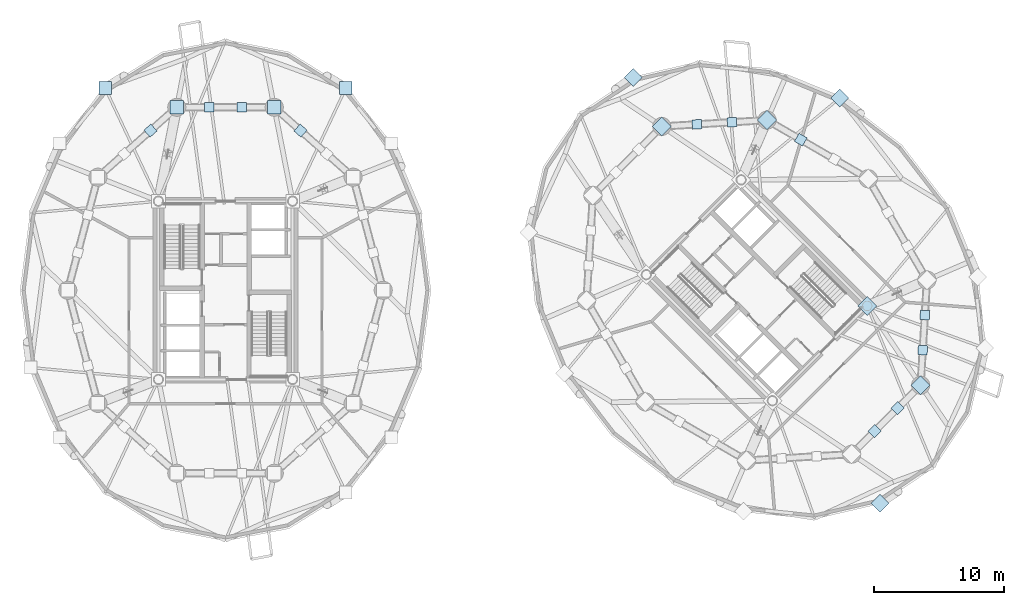
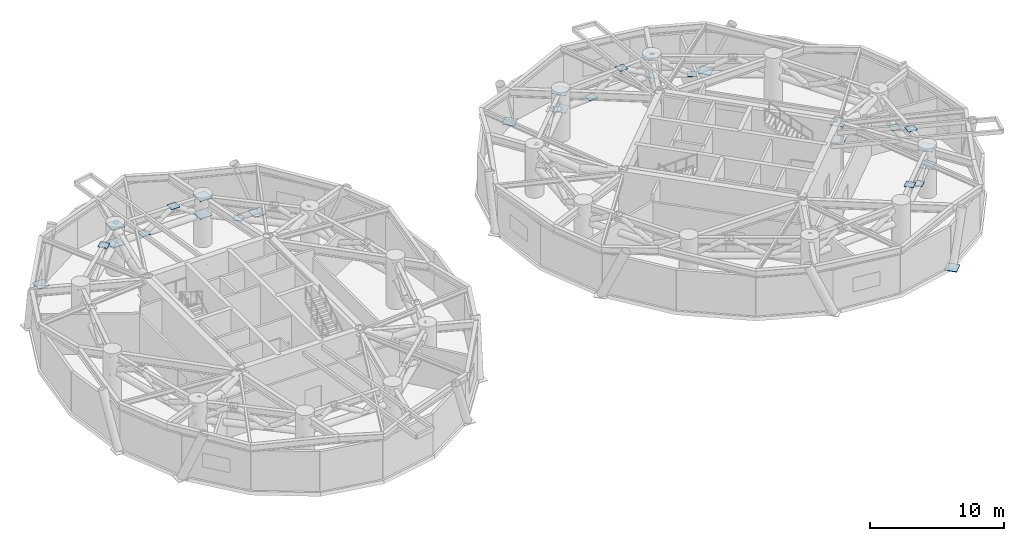
# One storey, part 8 of 16: 28 plates.
"""IFC4 building model written with IfcOpenShell, lengths in metres."""

import ifcopenshell
import ifcopenshell.guid

model = None  # the IFC model being written
_history = None  # IfcOwnerHistory: only IFC2X3 demands one
_inside = {}  # id of a spatial element -> (the spatial element, [elements in it])
_under = {}  # id of a project, library or spatial element -> (it, [spatial elements below it])
_declared = {}  # id of a project -> (the project, [libraries it declares])
_typed = {}  # id of a type object -> (the type object, [elements of that type])
_made_of = {}  # id of a material, layer set ... -> (it, [elements and type objects made of it])


def new_model(schema):
    """Start an empty IFC model of exactly this schema.

    Asked for "IFC4X3", IfcOpenShell would pick the latest addendum, in which some entities
    have other attributes; the version numbers below select the first issue.
    IFC2X3 requires an IfcOwnerHistory on every rooted entity: one is made here for all.
    """
    global model, _history
    if schema == "IFC4X3":
        model = ifcopenshell.file(schema_version=(4, 3, 0, 0))
    else:
        model = ifcopenshell.file(schema=schema)
    _inside.clear()
    _under.clear()
    _declared.clear()
    _typed.clear()
    _made_of.clear()
    _history = None
    if model.schema == "IFC2X3":
        org = make("IfcOrganization", Name="unknown")
        user = make(
            "IfcPersonAndOrganization",
            ThePerson=make("IfcPerson", FamilyName="unknown"),
            TheOrganization=org,
        )
        app = make(
            "IfcApplication",
            ApplicationDeveloper=org,
            Version="unknown",
            ApplicationFullName="unknown",
            ApplicationIdentifier="unknown",
        )
        _history = make(
            "IfcOwnerHistory",
            OwningUser=user,
            OwningApplication=app,
            ChangeAction="ADDED",
            CreationDate=0,
        )
    return model


def make(cls, **values):
    """One entity of the class cls with the attributes given. An attribute that is None is left unset."""
    return model.create_entity(
        cls, **{name: value for name, value in values.items() if value is not None}
    )


def rooted(cls, **values):
    """An entity with a GlobalId (a new one), such as an element, a storey or a relation."""
    return make(cls, GlobalId=ifcopenshell.guid.new(), OwnerHistory=_history, **values)


def si_unit(unit_type, name, prefix=None):
    """IfcSIUnit, for example si_unit("LENGTHUNIT", "METRE", prefix="MILLI")."""
    return make("IfcSIUnit", UnitType=unit_type, Prefix=prefix, Name=name)


def assignment(units):
    """IfcUnitAssignment: the units of a project."""
    return None if units is None else make("IfcUnitAssignment", Units=units)


def point(xyz):
    """IfcCartesianPoint."""
    return None if xyz is None else make("IfcCartesianPoint", Coordinates=xyz)


def direction(xyz):
    """IfcDirection."""
    return None if xyz is None else make("IfcDirection", DirectionRatios=xyz)


def frame(location, z_axis=None, x_axis=None):
    """IfcAxis2Placement3D, a coordinate frame: its origin and axes. An axis left out is left unset."""
    return make(
        "IfcAxis2Placement3D",
        Location=point(location),
        Axis=direction(z_axis),
        RefDirection=direction(x_axis),
    )


def frame_2d(location, x_axis=None):
    """IfcAxis2Placement2D, a coordinate frame in the plane: its origin and x axis."""
    return make(
        "IfcAxis2Placement2D", Location=point(location), RefDirection=direction(x_axis)
    )


def origin():
    """The frame at (0, 0, 0) with its axes left unset."""
    return frame((0.0, 0.0, 0.0))


def origin_2d():
    """The frame at (0, 0) in the plane with its x axis left unset."""
    return frame_2d((0.0, 0.0))


def place(relative_to, where):
    """IfcLocalPlacement: puts the frame where relative to a parent placement (None: the world)."""
    return make(
        "IfcLocalPlacement", PlacementRelTo=relative_to, RelativePlacement=where
    )


def context(
    kind, dimensions, precision=None, world=None, true_north=None, identifier=None
):
    """IfcGeometricRepresentationContext, for example the 3D "Model" context."""
    return make(
        "IfcGeometricRepresentationContext",
        ContextIdentifier=identifier,
        ContextType=kind,
        CoordinateSpaceDimension=dimensions,
        Precision=precision,
        WorldCoordinateSystem=world,
        TrueNorth=true_north,
    )


def subcontext(parent, identifier, kind, view, scale=None):
    """IfcGeometricRepresentationSubContext, for example "Body" below "Model"."""
    return make(
        "IfcGeometricRepresentationSubContext",
        ContextIdentifier=identifier,
        ContextType=kind,
        ParentContext=parent,
        TargetScale=scale,
        TargetView=view,
    )


def project(units=None, contexts=None):
    """IfcProject with its units and contexts."""
    return rooted(
        "IfcProject",
        Name="project",
        RepresentationContexts=contexts,
        UnitsInContext=assignment(units),
    )


def spatial(cls, under=None, at=None, **own):
    """A site, building, storey or space (cls), placed at a placement, below another one or the project."""
    s = rooted(cls, ObjectPlacement=at, **own)
    if under is not None:
        _under.setdefault(under.id(), (under, []))[1].append(s)
    return s


def profile(cls, at=None, kind="AREA", **sizes):
    """A parametric profile (cls). Its sizes go by their IFC names, for example OverallWidth=200.0."""
    return make(cls, ProfileType=kind, Position=at, **sizes)


def rectangle(**sizes):
    """IfcRectangleProfileDef."""
    return profile("IfcRectangleProfileDef", **sizes)


def extrude(swept, where, along, depth):
    """IfcExtrudedAreaSolid: the profile swept, set in the frame where, extruded along a direction by depth."""
    return make(
        "IfcExtrudedAreaSolid",
        SweptArea=swept,
        Position=where,
        ExtrudedDirection=direction(along),
        Depth=depth,
    )


def shape(context_of_items, identifier, shape_type, items):
    """IfcShapeRepresentation: the items that make up one representation, for example the "Body"."""
    return make(
        "IfcShapeRepresentation",
        ContextOfItems=context_of_items,
        RepresentationIdentifier=identifier,
        RepresentationType=shape_type,
        Items=items,
    )


def source(mapping_origin, context_of_items, identifier, shape_type, items):
    """IfcRepresentationMap: a shape defined once, which mapped items show again and again."""
    return make(
        "IfcRepresentationMap",
        MappingOrigin=mapping_origin,
        MappedRepresentation=shape(context_of_items, identifier, shape_type, items),
    )


def transform(
    local_origin,
    x_axis=None,
    y_axis=None,
    z_axis=None,
    scale=None,
    scale2=None,
    scale3=None,
    uniform=True,
):
    """IfcCartesianTransformationOperator3D, or its non-uniform kind. x_axis, y_axis, z_axis: its Axis1, 2, 3."""
    if uniform:
        return make(
            "IfcCartesianTransformationOperator3D",
            Axis1=direction(x_axis),
            Axis2=direction(y_axis),
            LocalOrigin=point(local_origin),
            Scale=scale,
            Axis3=direction(z_axis),
        )
    return make(
        "IfcCartesianTransformationOperator3DnonUniform",
        Axis1=direction(x_axis),
        Axis2=direction(y_axis),
        LocalOrigin=point(local_origin),
        Scale=scale,
        Axis3=direction(z_axis),
        Scale2=scale2,
        Scale3=scale3,
    )


def mapped(mapping_source, mapping_target):
    """IfcMappedItem: shows the shape of a source again, moved by a transform."""
    return make(
        "IfcMappedItem", MappingSource=mapping_source, MappingTarget=mapping_target
    )


def material(Name=None, Category=None):
    """IfcMaterial."""
    return make("IfcMaterial", Name=Name, Category=Category)


def layer(
    of_material, thickness, ventilated=None, Name=None, Category=None, Priority=None
):
    """IfcMaterialLayer: one layer of a wall or slab, of a material (None: an air gap)."""
    return make(
        "IfcMaterialLayer",
        Material=of_material,
        LayerThickness=thickness,
        IsVentilated=ventilated,
        Name=Name,
        Category=Category,
        Priority=Priority,
    )


def layer_set(layers, Name=None):
    """IfcMaterialLayerSet."""
    return make("IfcMaterialLayerSet", MaterialLayers=layers, LayerSetName=Name)


def made_of(thing, what):
    """Note that an element or type object is made of a material, layer set ...; save() writes the relation."""
    if what is not None:
        _made_of.setdefault(what.id(), (what, []))[1].append(thing)
    return thing


def type_object(cls, material=None, **own):
    """A type object (cls), such as IfcWallType, which elements share."""
    return made_of(rooted(cls, **own), material)


def element(
    cls,
    number,
    at=None,
    inside=None,
    cuts=None,
    type_object=None,
    material=None,
    context=None,
    identifier="Body",
    shape_type=None,
    held_by="IfcProductDefinitionShape",
    body=None,
    shapes=None,
    **own,
):
    """One element of the class cls, such as IfcWall. Its Tag is "e" and its number.

    at: its placement. inside: the storey or other place that contains it. cuts: it is an
    opening in that element (IfcRelVoidsElement). A single representation is given by context,
    identifier, shape_type and body (its items); several are given by shapes. held_by: the class
    of the entity that holds the representations. save() writes the other relations.
    """
    e = rooted(cls, Tag="e%d" % number, ObjectPlacement=at, **own)
    if body is not None:
        shapes = [shape(context, identifier, shape_type, body)]
    if shapes is not None:
        e.Representation = make(held_by, Representations=shapes)
    if inside is not None:
        _inside.setdefault(inside.id(), (inside, []))[1].append(e)
    if cuts is not None:
        rooted(
            "IfcRelVoidsElement", RelatingBuildingElement=cuts, RelatedOpeningElement=e
        )
    if type_object is not None:
        _typed.setdefault(type_object.id(), (type_object, []))[1].append(e)
    return made_of(e, material)


def aggregate(whole, parts):
    """IfcRelAggregates: a whole, such as a stair, and the parts it consists of."""
    return rooted("IfcRelAggregates", RelatingObject=whole, RelatedObjects=parts)


def save(model, path):
    """Write the relations noted so far, then the file.

    IfcRelAggregates (storeys below a building ...), IfcRelContainedInSpatialStructure (elements
    in a storey), IfcRelDefinesByType, IfcRelAssociatesMaterial and IfcRelDeclares: one each for
    every whole, place, type object, material and project.
    """
    for whole, parts in _under.values():
        aggregate(whole, parts)
    for where, things in _inside.values():
        rooted(
            "IfcRelContainedInSpatialStructure",
            RelatedElements=things,
            RelatingStructure=where,
        )
    for kind, things in _typed.values():
        rooted("IfcRelDefinesByType", RelatedObjects=things, RelatingType=kind)
    for what, things in _made_of.values():
        rooted("IfcRelAssociatesMaterial", RelatedObjects=things, RelatingMaterial=what)
    for by, libraries in _declared.values():
        rooted("IfcRelDeclares", RelatingContext=by, RelatedDefinitions=libraries)
    model.write(path)


model = new_model("IFC4")

# Units and contexts
model_context = context("Model", 3, precision=1e-05, world=origin(), true_north=direction((0.0, 1.0)))
body_context = subcontext(model_context, "Body", "Model", "MODEL_VIEW")
ifc_project = project(units=[si_unit("LENGTHUNIT", "METRE"), si_unit("AREAUNIT", "SQUARE_METRE"), si_unit("VOLUMEUNIT", "CUBIC_METRE"), si_unit("PLANEANGLEUNIT", "RADIAN"), si_unit("MASSUNIT", "GRAM", prefix="KILO")], contexts=[model_context])

# Site, building, storey
site_placement = place(None, origin())
site = spatial("IfcSite", under=ifc_project, at=site_placement, CompositionType="ELEMENT")
building_placement = place(site_placement, origin())
building = spatial("IfcBuilding", under=site, at=building_placement, Name="Cununo Teusaquillo Station Towers", CompositionType="ELEMENT")
storey_placement = place(building_placement, frame((0.0, 0.0, 65.64990234375)))
storey = spatial("IfcBuildingStorey", under=building, at=storey_placement, Name="L20", CompositionType="ELEMENT", Elevation=65.64990234375)

# Plates
ifc_material_1 = material(Name="Steel ASTM A572 Grade 50", Category="steel")
ifc_layer_1 = layer(ifc_material_1, 0.054931640625)
ifc_layer_set_1 = layer_set([ifc_layer_1], Name="Steel ASTM A572 Grade 50")
plate_type_1 = type_object("IfcPlateType", Name="PLT-NODE-KDN1", PredefinedType="USERDEFINED", material=ifc_layer_set_1)
shared_shape_1 = source(origin(), body_context, "Body", "SweptSolid", [
    extrude(rectangle(XDim=0.97998046875, YDim=0.97998046875, at=origin_2d()), origin(), (0.0, 0.0, 1.0), 0.054931640625),
])
for number, where, z_axis, x_axis, name in (
    (1, (25.78759765625, 40.10595703125, -0.16748046875), (0.0, 0.0, 1.0), (1.0, 0.0, 0.0), "L20 Tower A Diagrid Node Assembly C03"),
    (2, (7.21240234375, 40.10595703125, -0.16748046875), (0.0, 0.0, 1.0), (1.0, 0.0, 0.0), "L20 Tower A Diagrid Node Assembly C06"),
    (3, (63.9111328125, 39.341064453125, -0.16748046875), (0.0, 0.0, 1.0), (0.707106781187, 0.707106781187, 0.0), "L20 Tower B Diagrid Node Assembly C00"),
    (4, (47.980224609375, 40.92529296875, -0.16748046875), (0.0, 0.0, 1.0), (0.707106781187, 0.707106781187, 0.0), "L20 Tower B Diagrid Node Assembly C04"),
    (5, (67.019775390625, 8.07470703125, -0.16748046875), (0.0, 0.0, 1.0), (0.707106781187, 0.707106781187, 0.0), "L20 Tower B Diagrid Node Assembly C14"),
):
    element("IfcPlate", number, at=place(storey_placement, frame(where, z_axis=z_axis, x_axis=x_axis)), inside=storey, type_object=plate_type_1, Name=name, ObjectType="GUSSET PLATE", PredefinedType="USERDEFINED", context=body_context, shape_type="MappedRepresentation", body=[
        mapped(shared_shape_1, transform((0.0, 0.0, 0.0), x_axis=(1.0, 0.0, 0.0), y_axis=(0.0, 1.0, 0.0), z_axis=(0.0, 0.0, 1.0), scale=1.0)),
    ])
ifc_material_2 = material(Name="Steel ASTM A572 Grade 50", Category="steel")
ifc_layer_2 = layer(ifc_material_2, 0.054931640625)
ifc_layer_set_2 = layer_set([ifc_layer_2], Name="Steel ASTM A572 Grade 50")
plate_type_2 = type_object("IfcPlateType", Name="PLT-NODE-OTN1", PredefinedType="USERDEFINED", material=ifc_layer_set_2)
shared_shape_2 = source(origin(), body_context, "Body", "SweptSolid", [
    extrude(rectangle(XDim=1.050048828125, YDim=1.050048828125, at=origin_2d()), origin(), (0.0, 0.0, 1.0), 0.054931640625),
])
for number, where, z_axis, x_axis, name in (
    (6, (20.261474609375, 38.623291015625, 2.552734375), (0.0, 0.0, 1.0), (1.0, 0.0, 0.0), "L20 Tower A Belt Truss Column Gusset 03B"),
    (7, (20.261474609375, 38.623291015625, 4.15283203125), (0.0, 0.0, 1.0), (1.0, 0.0, 0.0), "L20 Tower A Belt Truss Column Gusset 03T"),
    (8, (12.738525390625, 38.623291015625, 2.552734375), (0.0, 0.0, 1.0), (1.0, 0.0, 0.0), "L20 Tower A Belt Truss Column Gusset 04B"),
    (9, (12.738525390625, 38.623291015625, 4.15283203125), (0.0, 0.0, 1.0), (1.0, 0.0, 0.0), "L20 Tower A Belt Truss Column Gusset 04T"),
    (10, (66.024169921875, 23.29443359375, 2.552734375), (0.0, 0.0, 1.0), (0.707106781187, 0.707106781187, 0.0), "L20 Tower B Outrigger Core Gusset OTN1 4.CB"),
    (11, (66.024169921875, 23.29443359375, 4.15283203125), (0.0, 0.0, 1.0), (0.707106781187, 0.707106781187, 0.0), "L20 Tower B Outrigger Core Gusset OTN1 4.CT"),
    (12, (58.291015625, 37.63525390625, 2.552734375), (0.0, 0.0, 1.0), (0.707106781187, 0.707106781187, 0.0), "L20 Tower B Belt Truss Column Gusset 02B"),
    (13, (58.291015625, 37.63525390625, 4.15283203125), (0.0, 0.0, 1.0), (0.707106781187, 0.707106781187, 0.0), "L20 Tower B Belt Truss Column Gusset 02T"),
    (14, (50.173095703125, 37.146240234375, 2.552734375), (0.0, 0.0, 1.0), (0.707106781187, 0.707106781187, 0.0), "L20 Tower B Belt Truss Column Gusset 03B"),
    (15, (50.173095703125, 37.146240234375, 4.15283203125), (0.0, 0.0, 1.0), (0.707106781187, 0.707106781187, 0.0), "L20 Tower B Belt Truss Column Gusset 03T"),
    (16, (70.146240234375, 17.173095703125, 2.552734375), (0.0, 0.0, 1.0), (0.707106781187, 0.707106781187, 0.0), "L20 Tower B Belt Truss Column Gusset 09B"),
    (17, (70.146240234375, 17.173095703125, 4.15283203125), (0.0, 0.0, 1.0), (0.707106781187, 0.707106781187, 0.0), "L20 Tower B Belt Truss Column Gusset 09T"),
):
    element("IfcPlate", number, at=place(storey_placement, frame(where, z_axis=z_axis, x_axis=x_axis)), inside=storey, type_object=plate_type_2, Name=name, ObjectType="GUSSET PLATE", PredefinedType="USERDEFINED", context=body_context, shape_type="MappedRepresentation", body=[
        mapped(shared_shape_2, transform((0.0, 0.0, 0.0), x_axis=(1.0, 0.0, 0.0), y_axis=(0.0, 1.0, 0.0), z_axis=(0.0, 0.0, 1.0), scale=1.0)),
    ])
ifc_material_3 = material(Name="Steel ASTM A572 Grade 50", Category="steel")
ifc_layer_3 = layer(ifc_material_3, 0.030029296875)
ifc_layer_set_3 = layer_set([ifc_layer_3], Name="Steel ASTM A572 Grade 50")
plate_type_3 = type_object("IfcPlateType", Name="PLT-NODE-XBR", PredefinedType="USERDEFINED", material=ifc_layer_set_3)
shared_shape_3 = source(origin(), body_context, "Body", "SweptSolid", [
    extrude(rectangle(XDim=0.719970703125, YDim=0.719970703125, at=origin_2d()), origin(), (0.0, 0.0, 1.0), 0.030029296875),
])
for number, where, z_axis, x_axis, name in (
    (18, (22.2900390625, 36.824951171875, 2.56494140625), (0.0, 0.0, 1.0), (-0.748377190605, 0.66327338299, 0.0), "L20 Tower A Belt Web Node Gusset XBP1 02B2"),
    (19, (17.75390625, 38.623291015625, 4.1650390625), (0.0, 0.0, 1.0), (-1.0, 0.0, 0.0), "L20 Tower A Belt Web Node Gusset XBP1 03T1"),
    (20, (15.24609375, 38.623291015625, 2.56494140625), (0.0, 0.0, 1.0), (-1.0, 0.0, 0.0), "L20 Tower A Belt Web Node Gusset XBP1 03B2"),
    (21, (10.7099609375, 36.824951171875, 4.1650390625), (0.0, 0.0, 1.0), (-0.748377190605, -0.66327338299, 0.0), "L20 Tower A Belt Web Node Gusset XBP1 04T1"),
    (22, (60.896484375, 36.125732421875, 2.56494140625), (0.0, 0.0, 1.0), (-0.865238937528, 0.501359732114, 0.0), "L20 Tower B Belt Web Node Gusset XBP1 01B2"),
    (23, (55.585205078125, 37.47216796875, 4.1650390625), (0.0, 0.0, 1.0), (-0.998187693254, -0.060177479469, 0.0), "L20 Tower B Belt Web Node Gusset XBP1 02T1"),
    (24, (52.879150390625, 37.309326171875, 2.56494140625), (0.0, 0.0, 1.0), (-0.998187693254, -0.060177479469, 0.0), "L20 Tower B Belt Web Node Gusset XBP1 02B2"),
    (25, (66.60009765625, 13.626708984375, 4.1650390625), (0.0, 0.0, 1.0), (0.707106781187, 0.707106781187, 0.0), "L20 Tower B Belt Web Node Gusset XBP1 08T1"),
    (26, (68.373291015625, 15.39990234375, 2.56494140625), (0.0, 0.0, 1.0), (0.707106781187, 0.707106781187, 0.0), "L20 Tower B Belt Web Node Gusset XBP1 08B2"),
    (27, (70.309326171875, 19.879150390625, 4.1650390625), (0.0, 0.0, 1.0), (0.060177479469, 0.998187693254, 0.0), "L20 Tower B Belt Web Node Gusset XBP1 09T1"),
    (28, (70.47216796875, 22.585205078125, 2.56494140625), (0.0, 0.0, 1.0), (0.060177479469, 0.998187693254, 0.0), "L20 Tower B Belt Web Node Gusset XBP1 09B2"),
):
    element("IfcPlate", number, at=place(storey_placement, frame(where, z_axis=z_axis, x_axis=x_axis)), inside=storey, type_object=plate_type_3, Name=name, ObjectType="GUSSET PLATE", PredefinedType="USERDEFINED", context=body_context, shape_type="MappedRepresentation", body=[
        mapped(shared_shape_3, transform((0.0, 0.0, 0.0), x_axis=(1.0, 0.0, 0.0), y_axis=(0.0, 1.0, 0.0), z_axis=(0.0, 0.0, 1.0), scale=1.0)),
    ])

save(model, "model.ifc")
